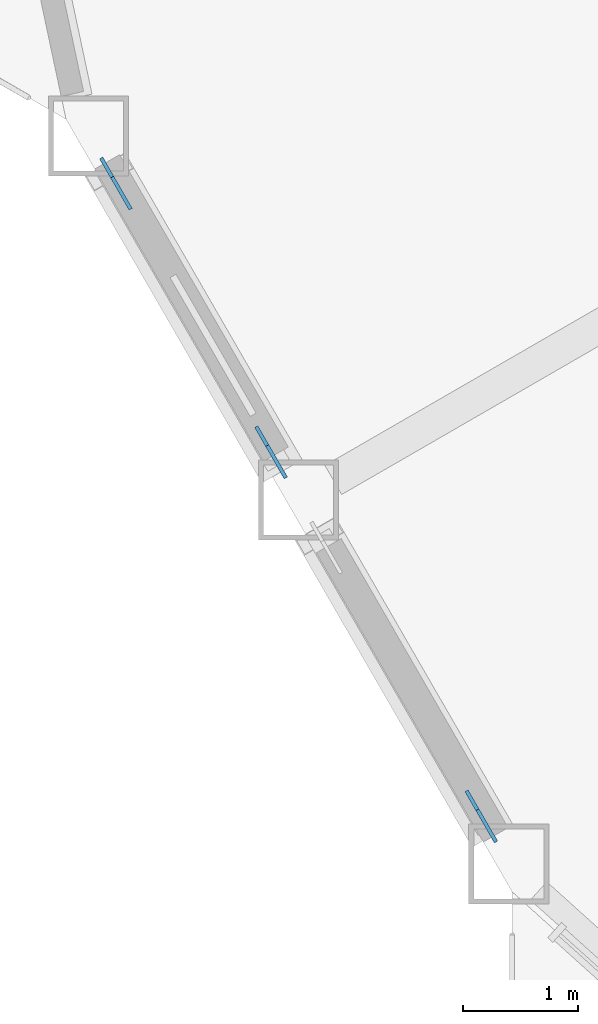
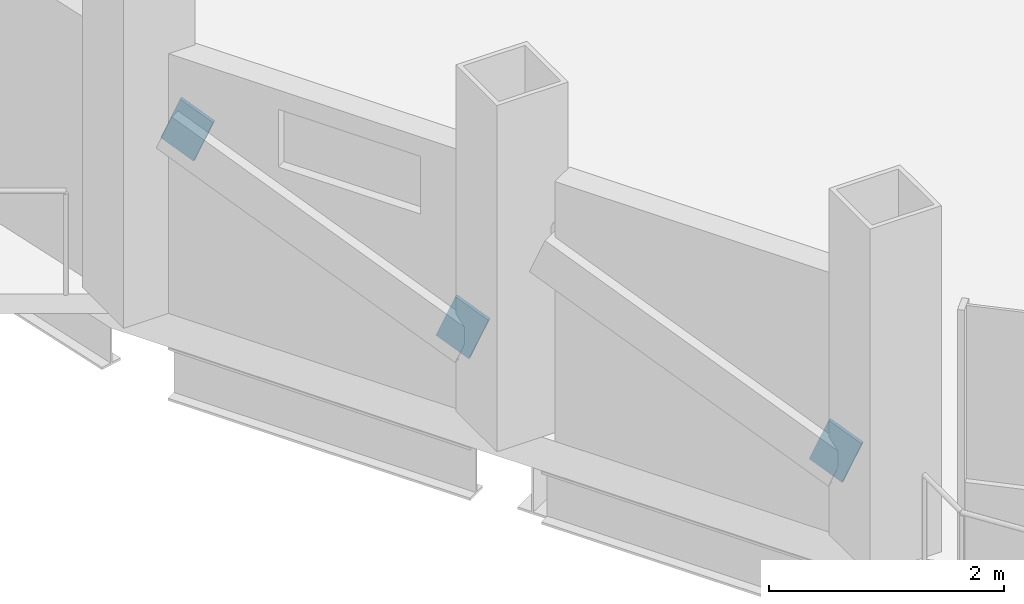
# One storey, part 16 of 23: 3 discrete accessories.
"""IFC4 building model written with IfcOpenShell, lengths in metres."""

from ifc_helpers import new_model, si_unit, direction, frame, origin, origin_2d, place, context, subcontext, project, spatial, rectangle, extrude, material, material_profile, profile_set, type_object, element, save


model = new_model("IFC4")

# Units and contexts
model_context = context("Model", 3, precision=1e-05, world=origin(), true_north=direction((0.0, 1.0)))
body_context = subcontext(model_context, "Body", "Model", "MODEL_VIEW")
ifc_project = project(units=[si_unit("LENGTHUNIT", "METRE"), si_unit("AREAUNIT", "SQUARE_METRE"), si_unit("VOLUMEUNIT", "CUBIC_METRE"), si_unit("PLANEANGLEUNIT", "RADIAN"), si_unit("MASSUNIT", "GRAM", prefix="KILO")], contexts=[model_context])

# Site, building, storey
site_placement = place(None, origin())
site = spatial("IfcSite", under=ifc_project, at=site_placement, CompositionType="ELEMENT")
building_placement = place(site_placement, origin())
building = spatial("IfcBuilding", under=site, at=building_placement, Name="Cormorant Prow Tower", CompositionType="ELEMENT")
storey_placement = place(building_placement, frame((0.0, 0.0, 267.0)))
storey = spatial("IfcBuildingStorey", under=building, at=storey_placement, Name="L60", CompositionType="ELEMENT", Elevation=267.0)

# Discrete accessories
ifc_material = material(Name="Structural steel ASTM A500 Gr C", Category="steel")
ifc_material_profile = material_profile(ifc_material, rectangle(XDim=0.031982421875, YDim=0.506103515625, at=origin_2d()), Name="Gusset plate 32x506")
ifc_profile_set = profile_set([ifc_material_profile], Name="Structural steel ASTM A500 Gr C")
discrete_accessory_type = type_object("IfcDiscreteAccessoryType", Name="Gusset plate 32x506", PredefinedType="BRACKET", material=ifc_profile_set)
discrete_accessory_1_placement = place(storey_placement, frame((-28.09814453125, -15.4794921875, 0.863037109375), z_axis=(0.462827914709, -0.801584490837, -0.378487285673), x_axis=(0.866010015463, 0.500026652407, 0.0)))
element("IfcDiscreteAccessory", 1, at=discrete_accessory_1_placement, inside=storey, type_object=discrete_accessory_type, Name="Gusset plate GP2 L60.WSW00.g0", PredefinedType="BRACKET", context=body_context, shape_type="SweptSolid", body=[
    extrude(rectangle(XDim=0.031982421875, YDim=0.506103515625, at=origin_2d()), origin(), (0.0, 0.0, 1.0), 0.350341796875),
])
discrete_accessory_2_placement = place(storey_placement, frame((-29.2900390625, -13.4150390625, 1.837890625), z_axis=(-0.46266066689, 0.801805590131, 0.37822335061), x_axis=(-0.866147934042, -0.499787711288, 0.0)))
element("IfcDiscreteAccessory", 2, at=discrete_accessory_2_placement, inside=storey, type_object=discrete_accessory_type, Name="Gusset plate GP2 L60.WSW00.g1", PredefinedType="BRACKET", context=body_context, shape_type="SweptSolid", body=[
    extrude(rectangle(XDim=0.031982421875, YDim=0.506103515625, at=origin_2d()), origin(), (0.0, 0.0, 1.0), 0.349853515625),
])
discrete_accessory_3_placement = place(storey_placement, frame((-26.262939453125, -18.658203125, 0.863037109375), z_axis=(0.462827914709, -0.801584490837, -0.378487285673), x_axis=(0.866010015463, 0.500026652407, 0.0)))
element("IfcDiscreteAccessory", 3, at=discrete_accessory_3_placement, inside=storey, type_object=discrete_accessory_type, Name="Gusset plate GP2 L60.WSW01.g0", PredefinedType="BRACKET", context=body_context, shape_type="SweptSolid", body=[
    extrude(rectangle(XDim=0.031982421875, YDim=0.506103515625, at=origin_2d()), origin(), (0.0, 0.0, 1.0), 0.350341796875),
])

save(model, "model.ifc")
